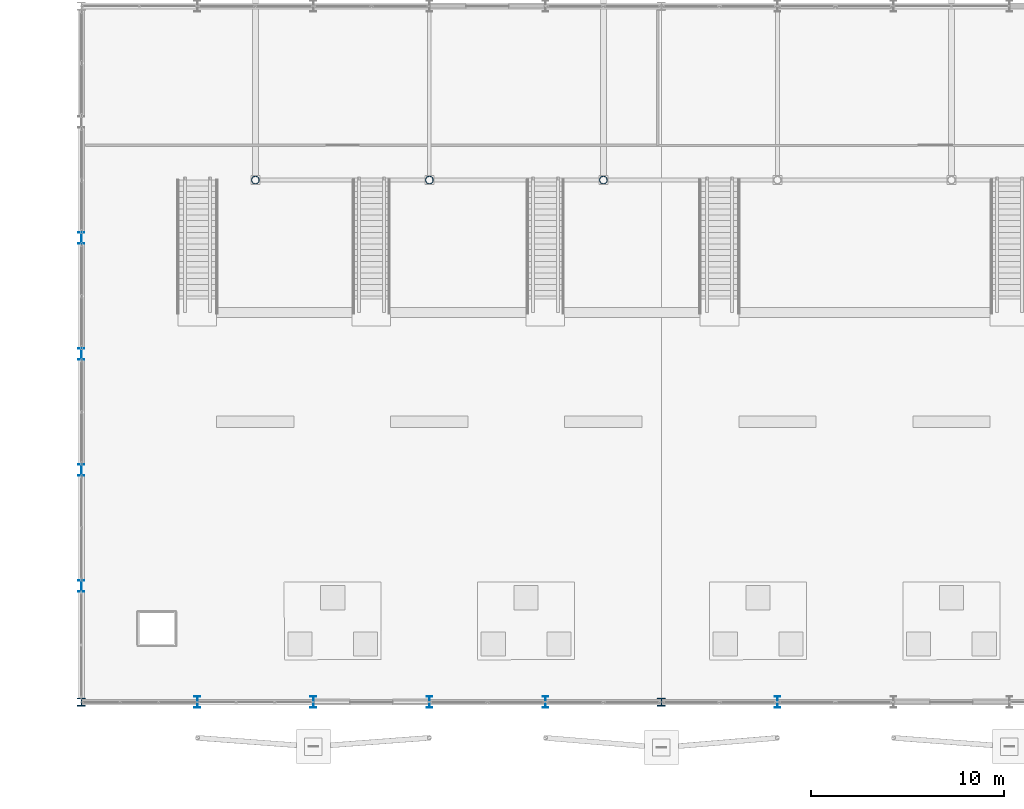
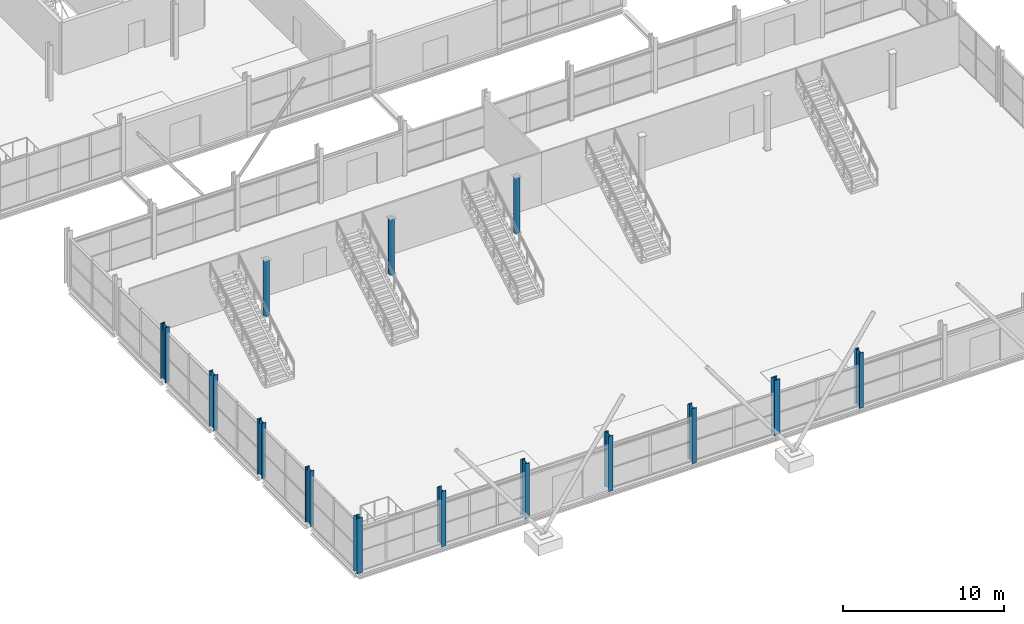
# One storey, part 2 of 140: 14 columns.
"""IFC4 building model written with IfcOpenShell, lengths in metres."""

from ifc_helpers import new_model, si_unit, direction, frame, origin, origin_2d, place, context, subcontext, project, spatial, hollow_circle, i_section, extrude, material, material_profile, profile_set, type_object, element, save


model = new_model("IFC4")

# Units and contexts
model_context = context("Model", 3, precision=1e-05, world=origin(), true_north=direction((0.0, 1.0)))
body_context = subcontext(model_context, "Body", "Model", "MODEL_VIEW")
ifc_project = project(units=[si_unit("LENGTHUNIT", "METRE"), si_unit("AREAUNIT", "SQUARE_METRE"), si_unit("VOLUMEUNIT", "CUBIC_METRE"), si_unit("PLANEANGLEUNIT", "RADIAN"), si_unit("MASSUNIT", "GRAM", prefix="KILO")], contexts=[model_context])

# Site, building, storey
site_placement = place(None, origin())
site = spatial("IfcSite", under=ifc_project, at=site_placement, CompositionType="ELEMENT")
building_placement = place(site_placement, origin())
building = spatial("IfcBuilding", under=site, at=building_placement, Name="Deido Ridge Mobility Hub", CompositionType="ELEMENT")
storey_placement = place(building_placement, origin())
storey = spatial("IfcBuildingStorey", under=building, at=storey_placement, Name="L00", CompositionType="ELEMENT", Elevation=0.0)

# Columns
ifc_material_1 = material(Name="Steel S355J2H EN 10210-1", Category="steel")
ifc_material_profile_1 = material_profile(ifc_material_1, hollow_circle(Radius=0.203125, WallThickness=0.01611328125, at=origin_2d()), Name="CHS 406.4x16")
ifc_profile_set_1 = profile_set([ifc_material_profile_1], Name="Steel S355J2H EN 10210-1")
column_type_1 = type_object("IfcColumnType", Name="COL-CHS406", PredefinedType="COLUMN", material=ifc_profile_set_1)
for number, where, z_axis, x_axis, name in (
    (1, (9.0, 27.0, 0.0), (0.0, 0.0, 1.0), (1.0, 0.0, 0.0), "Structural column C10"),
    (2, (18.0, 27.0, 0.0), (0.0, 0.0, 1.0), (1.0, 0.0, 0.0), "Structural column C10"),
    (3, (27.0, 27.0, 0.0), (0.0, 0.0, 1.0), (1.0, 0.0, 0.0), "Structural column C10"),
):
    element("IfcColumn", number, at=place(storey_placement, frame(where, z_axis=z_axis, x_axis=x_axis)), inside=storey, type_object=column_type_1, Name=name, PredefinedType="COLUMN", context=body_context, shape_type="SweptSolid", body=[
        extrude(hollow_circle(Radius=0.203125, WallThickness=0.01611328125, at=origin_2d()), origin(), (0.0, 0.0, 1.0), 4.199951171875),
    ])
ifc_material_2 = material(Name="Steel S355J2 EN 10025-2", Category="steel")
ifc_material_profile_2 = material_profile(ifc_material_2, i_section(OverallWidth=0.406005859375, OverallDepth=0.416015625, WebThickness=0.02392578125, FlangeThickness=0.0390625, FilletRadius=0.014892578125, at=origin_2d()), Name="HD 400x382")
ifc_profile_set_2 = profile_set([ifc_material_profile_2], Name="Steel S355J2 EN 10025-2")
column_type_2 = type_object("IfcColumnType", Name="COL-HD400-382", PredefinedType="COLUMN", material=ifc_profile_set_2)
for number, where, z_axis, x_axis, name in (
    (4, (0.0, 0.0, 0.0), (0.0, 0.0, 1.0), (1.0, 0.0, 0.0), "Structural column MC1"),
    (5, (30.0, 0.0, 0.0), (0.0, 0.0, 1.0), (1.0, 0.0, 0.0), "Structural column MC5"),
):
    element("IfcColumn", number, at=place(storey_placement, frame(where, z_axis=z_axis, x_axis=x_axis)), inside=storey, type_object=column_type_2, Name=name, PredefinedType="COLUMN", context=body_context, shape_type="SweptSolid", body=[
        extrude(i_section(OverallWidth=0.406005859375, OverallDepth=0.416015625, WebThickness=0.02392578125, FlangeThickness=0.0390625, FilletRadius=0.014892578125, at=origin_2d()), origin(), (0.0, 0.0, 1.0), 4.199951171875),
    ])
ifc_material_profile_3 = material_profile(ifc_material_2, i_section(OverallWidth=0.300048828125, OverallDepth=0.60009765625, WebThickness=0.015380859375, FlangeThickness=0.030029296875, FilletRadius=0.027099609375, at=origin_2d()), Name="HEB 600")
ifc_profile_set_3 = profile_set([ifc_material_profile_3], Name="Steel S355J2 EN 10025-2")
column_type_3 = type_object("IfcColumnType", Name="COL-HEB600", PredefinedType="COLUMN", material=ifc_profile_set_3)
for number, where, z_axis, x_axis, name in (
    (6, (6.0, 0.0, 0.0), (0.0, 0.0, 1.0), (1.0, 0.0, 0.0), "Structural column C4"),
    (7, (12.0, 0.0, 0.0), (0.0, 0.0, 1.0), (1.0, 0.0, 0.0), "Structural column C4"),
    (8, (18.0, 0.0, 0.0), (0.0, 0.0, 1.0), (1.0, 0.0, 0.0), "Structural column C4"),
    (9, (24.0, 0.0, 0.0), (0.0, 0.0, 1.0), (1.0, 0.0, 0.0), "Structural column C4"),
    (10, (36.0, 0.0, 0.0), (0.0, 0.0, 1.0), (1.0, 0.0, 0.0), "Structural column C4"),
    (11, (0.0, 6.0, 0.0), (0.0, 0.0, 1.0), (1.0, 0.0, 0.0), "Structural column C4"),
    (12, (0.0, 12.0, 0.0), (0.0, 0.0, 1.0), (1.0, 0.0, 0.0), "Structural column C4"),
    (13, (0.0, 18.0, 0.0), (0.0, 0.0, 1.0), (1.0, 0.0, 0.0), "Structural column C4"),
    (14, (0.0, 24.0, 0.0), (0.0, 0.0, 1.0), (1.0, 0.0, 0.0), "Structural column C4"),
):
    element("IfcColumn", number, at=place(storey_placement, frame(where, z_axis=z_axis, x_axis=x_axis)), inside=storey, type_object=column_type_3, Name=name, PredefinedType="COLUMN", context=body_context, shape_type="SweptSolid", body=[
        extrude(i_section(OverallWidth=0.300048828125, OverallDepth=0.60009765625, WebThickness=0.015380859375, FlangeThickness=0.030029296875, FilletRadius=0.027099609375, at=origin_2d()), origin(), (0.0, 0.0, 1.0), 4.199951171875),
    ])

save(model, "model.ifc")
